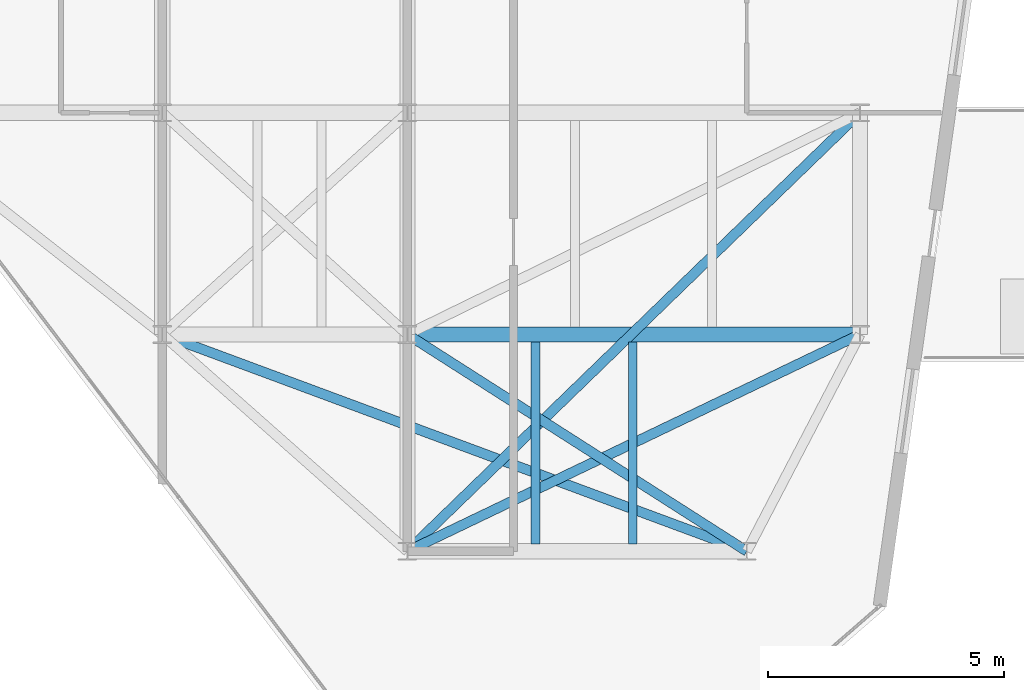
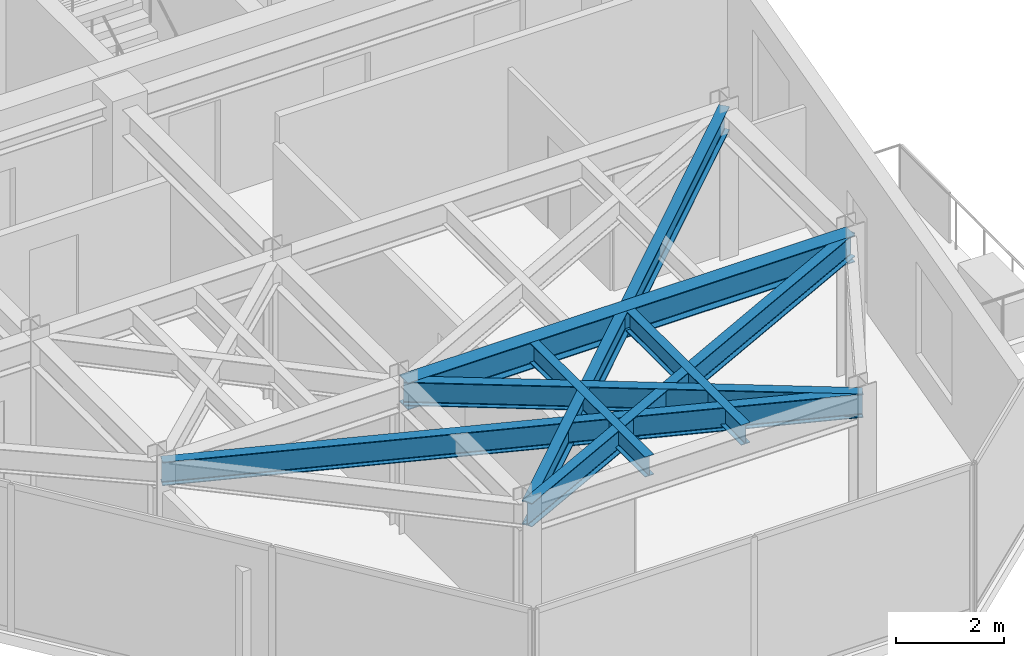
# One storey, part 7 of 17: 7 beams.
"""IFC4 building model written with IfcOpenShell, lengths in metres."""

from ifc_helpers import new_model, si_unit, direction, frame, origin, origin_2d, place, context, subcontext, project, spatial, i_section, extrude, material, material_profile, profile_set, type_object, element, save


model = new_model("IFC4")

# Units and contexts
model_context = context("Model", 3, precision=1e-05, world=origin(), true_north=direction((0.0, 1.0)))
body_context = subcontext(model_context, "Body", "Model", "MODEL_VIEW")
ifc_project = project(units=[si_unit("LENGTHUNIT", "METRE"), si_unit("AREAUNIT", "SQUARE_METRE"), si_unit("VOLUMEUNIT", "CUBIC_METRE"), si_unit("PLANEANGLEUNIT", "RADIAN"), si_unit("MASSUNIT", "GRAM", prefix="KILO")], contexts=[model_context])

# Site, building, storey
site_placement = place(None, origin())
site = spatial("IfcSite", under=ifc_project, at=site_placement, CompositionType="ELEMENT")
building_placement = place(site_placement, origin())
building = spatial("IfcBuilding", under=site, at=building_placement, Name="Kravanh Interchange Tower", CompositionType="ELEMENT")
storey_placement = place(building_placement, frame((0.0, 0.0, 293.10009765625)))
storey = spatial("IfcBuildingStorey", under=building, at=storey_placement, Name="L72", CompositionType="ELEMENT", Elevation=293.10009765625)

# Beams
ifc_material_1 = material(Name="Structural Steel S355", Category="steel")
ifc_material_profile_1 = material_profile(ifc_material_1, i_section(OverallWidth=0.323974609375, OverallDepth=0.611083984375, WebThickness=0.0126953125, FlangeThickness=0.01904296875, FilletRadius=0.02197265625, at=origin_2d()), Name="W24X104")
ifc_profile_set_1 = profile_set([ifc_material_profile_1], Name="Structural Steel S355")
beam_type_1 = type_object("IfcBeamType", Name="Floor Beam W24X104 Structural Steel S355", PredefinedType="BEAM", material=ifc_profile_set_1)
beam_1_placement = place(storey_placement, frame((56.0, 26.800048828125, 3.04443359375), z_axis=(1.0, 0.0, 0.0), x_axis=(0.0, 1.0, 0.0)))
element("IfcBeam", 1, at=beam_1_placement, inside=storey, type_object=beam_type_1, Name="L72 Primary Floor Girder 30", PredefinedType="BEAM", context=body_context, shape_type="SweptSolid", body=[
    extrude(i_section(OverallWidth=0.323974609375, OverallDepth=0.611083984375, WebThickness=0.0126953125, FlangeThickness=0.01904296875, FilletRadius=0.02197265625, at=origin_2d()), origin(), (0.0, 0.0, 1.0), 9.60009765625),
])
ifc_material_2 = material(Name="Structural Steel S355", Category="steel")
ifc_material_profile_2 = material_profile(ifc_material_2, i_section(OverallWidth=0.18994140625, OverallDepth=0.45703125, WebThickness=0.009033203125, FlangeThickness=0.014404296875, FilletRadius=0.01806640625, at=origin_2d()), Name="W18X50")
ifc_profile_set_2 = profile_set([ifc_material_profile_2], Name="Structural Steel S355")
beam_type_2 = type_object("IfcBeamType", Name="Floor Joist W18X50 Structural Steel S355", PredefinedType="JOIST", material=ifc_profile_set_2)
for number, where, z_axis, x_axis, name in (
    (2, (58.715087890625, 22.35693359375, 3.121337890625), (0.0, 1.0, 0.0), (-1.0, 0.0, 0.0), "L72 Secondary Floor Joist 1"),
    (3, (60.780029296875, 22.35693359375, 3.121337890625), (0.0, 1.0, 0.0), (-1.0, 0.0, 0.0), "L72 Secondary Floor Joist 2"),
):
    element("IfcBeam", number, at=place(storey_placement, frame(where, z_axis=z_axis, x_axis=x_axis)), inside=storey, type_object=beam_type_2, Name=name, PredefinedType="JOIST", context=body_context, shape_type="SweptSolid", body=[
        extrude(i_section(OverallWidth=0.18994140625, OverallDepth=0.45703125, WebThickness=0.009033203125, FlangeThickness=0.014404296875, FilletRadius=0.01806640625, at=origin_2d()), origin(), (0.0, 0.0, 1.0), 4.2861328125),
    ])
ifc_material_3 = material(Name="Structural Steel S355", Category="steel")
ifc_material_profile_3 = material_profile(ifc_material_3, i_section(OverallWidth=0.2099609375, OverallDepth=0.537109375, WebThickness=0.010986328125, FlangeThickness=0.017333984375, FilletRadius=0.02001953125, at=origin_2d()), Name="W21X68")
ifc_profile_set_3 = profile_set([ifc_material_profile_3], Name="Structural Steel S355")
beam_type_3 = type_object("IfcBeamType", Name="Floor Spandrel W21X68 Structural Steel S355", PredefinedType="SPANDREL", material=ifc_profile_set_3)
beam_2_placement = place(storey_placement, frame((65.60009765625, 31.5, 3.081298828125), z_axis=(-0.718241934329, -0.695793449072, 0.0), x_axis=(0.695793449072, -0.718241934329, 0.0)))
element("IfcBeam", 4, at=beam_2_placement, inside=storey, type_object=beam_type_3, Name="L72 Perimeter Spandrel 16", PredefinedType="SPANDREL", context=body_context, shape_type="SweptSolid", body=[
    extrude(i_section(OverallWidth=0.2099609375, OverallDepth=0.537109375, WebThickness=0.010986328125, FlangeThickness=0.017333984375, FilletRadius=0.02001953125, at=origin_2d()), origin(), (0.0, 0.0, 1.0), 13.3662109375),
])
beam_3_placement = place(storey_placement, frame((50.800048828125, 26.800048828125, 3.081298828125), z_axis=(0.937562917338, -0.347815721372, 0.0), x_axis=(0.347815721372, 0.937562917338, 0.0)))
element("IfcBeam", 5, at=beam_3_placement, inside=storey, type_object=beam_type_3, Name="L72 Perimeter Spandrel 27", PredefinedType="SPANDREL", context=body_context, shape_type="SweptSolid", body=[
    extrude(i_section(OverallWidth=0.2099609375, OverallDepth=0.537109375, WebThickness=0.010986328125, FlangeThickness=0.017333984375, FilletRadius=0.02001953125, at=origin_2d()), origin(), (0.0, 0.0, 1.0), 13.2255859375),
])
beam_4_placement = place(storey_placement, frame((56.0, 26.800048828125, 3.081298828125), z_axis=(0.842689417531, -0.53839998661, 0.0), x_axis=(0.53839998661, 0.842689417531, 0.0)))
element("IfcBeam", 6, at=beam_4_placement, inside=storey, type_object=beam_type_3, Name="L72 Perimeter Spandrel 29", PredefinedType="SPANDREL", context=body_context, shape_type="SweptSolid", body=[
    extrude(i_section(OverallWidth=0.2099609375, OverallDepth=0.537109375, WebThickness=0.010986328125, FlangeThickness=0.017333984375, FilletRadius=0.02001953125, at=origin_2d()), origin(), (0.0, 0.0, 1.0), 8.5439453125),
])
beam_5_placement = place(storey_placement, frame((65.60009765625, 26.800048828125, 3.081298828125), z_axis=(-0.901814166789, -0.432124066188, 0.0), x_axis=(0.432124066188, -0.901814166789, 0.0)))
element("IfcBeam", 7, at=beam_5_placement, inside=storey, type_object=beam_type_3, Name="L72 Perimeter Spandrel 32", PredefinedType="SPANDREL", context=body_context, shape_type="SweptSolid", body=[
    extrude(i_section(OverallWidth=0.2099609375, OverallDepth=0.537109375, WebThickness=0.010986328125, FlangeThickness=0.017333984375, FilletRadius=0.02001953125, at=origin_2d()), origin(), (0.0, 0.0, 1.0), 10.645263671875),
])

save(model, "model.ifc")
